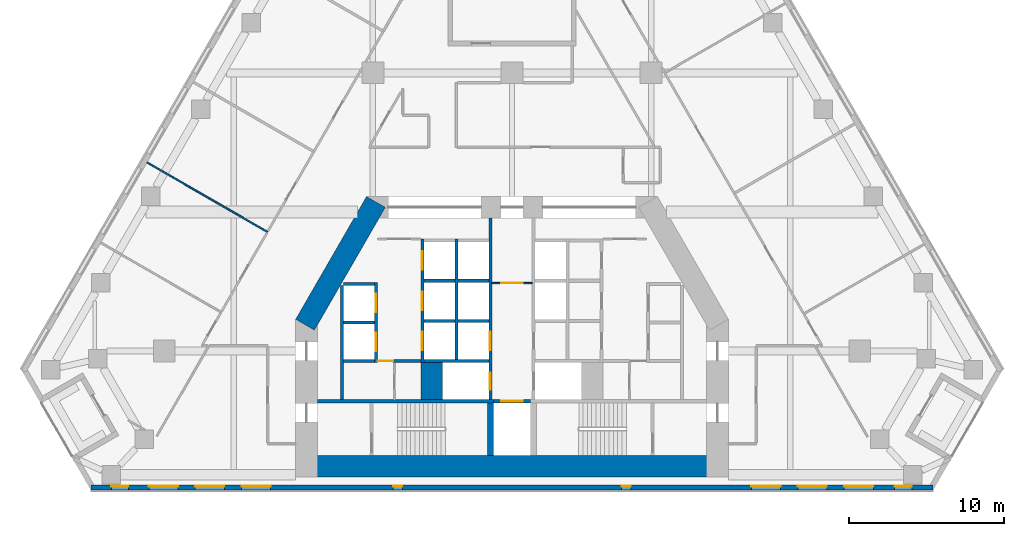
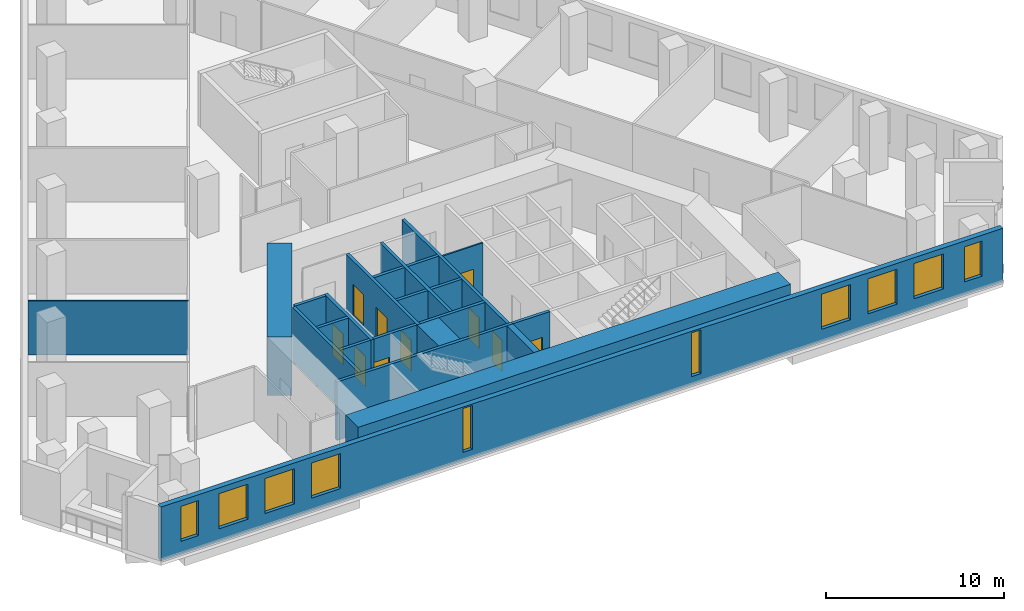
# One storey, part 4 of 11: 23 walls, 10 doors, 10 windows, 20 openings.
"""IFC4 building model written with IfcOpenShell, lengths in metres."""

import ifcopenshell
import ifcopenshell.guid

model = None  # the IFC model being written
_history = None  # IfcOwnerHistory: only IFC2X3 demands one
_inside = {}  # id of a spatial element -> (the spatial element, [elements in it])
_under = {}  # id of a project, library or spatial element -> (it, [spatial elements below it])
_declared = {}  # id of a project -> (the project, [libraries it declares])
_typed = {}  # id of a type object -> (the type object, [elements of that type])
_made_of = {}  # id of a material, layer set ... -> (it, [elements and type objects made of it])


def new_model(schema):
    """Start an empty IFC model of exactly this schema.

    Asked for "IFC4X3", IfcOpenShell would pick the latest addendum, in which some entities
    have other attributes; the version numbers below select the first issue.
    IFC2X3 requires an IfcOwnerHistory on every rooted entity: one is made here for all.
    """
    global model, _history
    if schema == "IFC4X3":
        model = ifcopenshell.file(schema_version=(4, 3, 0, 0))
    else:
        model = ifcopenshell.file(schema=schema)
    _inside.clear()
    _under.clear()
    _declared.clear()
    _typed.clear()
    _made_of.clear()
    _history = None
    if model.schema == "IFC2X3":
        org = make("IfcOrganization", Name="unknown")
        user = make(
            "IfcPersonAndOrganization",
            ThePerson=make("IfcPerson", FamilyName="unknown"),
            TheOrganization=org,
        )
        app = make(
            "IfcApplication",
            ApplicationDeveloper=org,
            Version="unknown",
            ApplicationFullName="unknown",
            ApplicationIdentifier="unknown",
        )
        _history = make(
            "IfcOwnerHistory",
            OwningUser=user,
            OwningApplication=app,
            ChangeAction="ADDED",
            CreationDate=0,
        )
    return model


def make(cls, **values):
    """One entity of the class cls with the attributes given. An attribute that is None is left unset."""
    return model.create_entity(
        cls, **{name: value for name, value in values.items() if value is not None}
    )


def rooted(cls, **values):
    """An entity with a GlobalId (a new one), such as an element, a storey or a relation."""
    return make(cls, GlobalId=ifcopenshell.guid.new(), OwnerHistory=_history, **values)


def si_unit(unit_type, name, prefix=None):
    """IfcSIUnit, for example si_unit("LENGTHUNIT", "METRE", prefix="MILLI")."""
    return make("IfcSIUnit", UnitType=unit_type, Prefix=prefix, Name=name)


def assignment(units):
    """IfcUnitAssignment: the units of a project."""
    return None if units is None else make("IfcUnitAssignment", Units=units)


def point(xyz):
    """IfcCartesianPoint."""
    return None if xyz is None else make("IfcCartesianPoint", Coordinates=xyz)


def direction(xyz):
    """IfcDirection."""
    return None if xyz is None else make("IfcDirection", DirectionRatios=xyz)


def frame(location, z_axis=None, x_axis=None):
    """IfcAxis2Placement3D, a coordinate frame: its origin and axes. An axis left out is left unset."""
    return make(
        "IfcAxis2Placement3D",
        Location=point(location),
        Axis=direction(z_axis),
        RefDirection=direction(x_axis),
    )


def frame_2d(location, x_axis=None):
    """IfcAxis2Placement2D, a coordinate frame in the plane: its origin and x axis."""
    return make(
        "IfcAxis2Placement2D", Location=point(location), RefDirection=direction(x_axis)
    )


def origin():
    """The frame at (0, 0, 0) with its axes left unset."""
    return frame((0.0, 0.0, 0.0))


def place(relative_to, where):
    """IfcLocalPlacement: puts the frame where relative to a parent placement (None: the world)."""
    return make(
        "IfcLocalPlacement", PlacementRelTo=relative_to, RelativePlacement=where
    )


def context(
    kind, dimensions, precision=None, world=None, true_north=None, identifier=None
):
    """IfcGeometricRepresentationContext, for example the 3D "Model" context."""
    return make(
        "IfcGeometricRepresentationContext",
        ContextIdentifier=identifier,
        ContextType=kind,
        CoordinateSpaceDimension=dimensions,
        Precision=precision,
        WorldCoordinateSystem=world,
        TrueNorth=true_north,
    )


def subcontext(parent, identifier, kind, view, scale=None):
    """IfcGeometricRepresentationSubContext, for example "Body" below "Model"."""
    return make(
        "IfcGeometricRepresentationSubContext",
        ContextIdentifier=identifier,
        ContextType=kind,
        ParentContext=parent,
        TargetScale=scale,
        TargetView=view,
    )


def project(units=None, contexts=None):
    """IfcProject with its units and contexts."""
    return rooted(
        "IfcProject",
        Name="project",
        RepresentationContexts=contexts,
        UnitsInContext=assignment(units),
    )


def spatial(cls, under=None, at=None, **own):
    """A site, building, storey or space (cls), placed at a placement, below another one or the project."""
    s = rooted(cls, ObjectPlacement=at, **own)
    if under is not None:
        _under.setdefault(under.id(), (under, []))[1].append(s)
    return s


def profile(cls, at=None, kind="AREA", **sizes):
    """A parametric profile (cls). Its sizes go by their IFC names, for example OverallWidth=200.0."""
    return make(cls, ProfileType=kind, Position=at, **sizes)


def rectangle(**sizes):
    """IfcRectangleProfileDef."""
    return profile("IfcRectangleProfileDef", **sizes)


def extrude(swept, where, along, depth):
    """IfcExtrudedAreaSolid: the profile swept, set in the frame where, extruded along a direction by depth."""
    return make(
        "IfcExtrudedAreaSolid",
        SweptArea=swept,
        Position=where,
        ExtrudedDirection=direction(along),
        Depth=depth,
    )


def shape(context_of_items, identifier, shape_type, items):
    """IfcShapeRepresentation: the items that make up one representation, for example the "Body"."""
    return make(
        "IfcShapeRepresentation",
        ContextOfItems=context_of_items,
        RepresentationIdentifier=identifier,
        RepresentationType=shape_type,
        Items=items,
    )


def material(Name=None, Category=None):
    """IfcMaterial."""
    return make("IfcMaterial", Name=Name, Category=Category)


def layer(
    of_material, thickness, ventilated=None, Name=None, Category=None, Priority=None
):
    """IfcMaterialLayer: one layer of a wall or slab, of a material (None: an air gap)."""
    return make(
        "IfcMaterialLayer",
        Material=of_material,
        LayerThickness=thickness,
        IsVentilated=ventilated,
        Name=Name,
        Category=Category,
        Priority=Priority,
    )


def layer_set(layers, Name=None):
    """IfcMaterialLayerSet."""
    return make("IfcMaterialLayerSet", MaterialLayers=layers, LayerSetName=Name)


def made_of(thing, what):
    """Note that an element or type object is made of a material, layer set ...; save() writes the relation."""
    if what is not None:
        _made_of.setdefault(what.id(), (what, []))[1].append(thing)
    return thing


def type_object(cls, material=None, **own):
    """A type object (cls), such as IfcWallType, which elements share."""
    return made_of(rooted(cls, **own), material)


def element(
    cls,
    number,
    at=None,
    inside=None,
    cuts=None,
    type_object=None,
    material=None,
    context=None,
    identifier="Body",
    shape_type=None,
    held_by="IfcProductDefinitionShape",
    body=None,
    shapes=None,
    **own,
):
    """One element of the class cls, such as IfcWall. Its Tag is "e" and its number.

    at: its placement. inside: the storey or other place that contains it. cuts: it is an
    opening in that element (IfcRelVoidsElement). A single representation is given by context,
    identifier, shape_type and body (its items); several are given by shapes. held_by: the class
    of the entity that holds the representations. save() writes the other relations.
    """
    e = rooted(cls, Tag="e%d" % number, ObjectPlacement=at, **own)
    if body is not None:
        shapes = [shape(context, identifier, shape_type, body)]
    if shapes is not None:
        e.Representation = make(held_by, Representations=shapes)
    if inside is not None:
        _inside.setdefault(inside.id(), (inside, []))[1].append(e)
    if cuts is not None:
        rooted(
            "IfcRelVoidsElement", RelatingBuildingElement=cuts, RelatedOpeningElement=e
        )
    if type_object is not None:
        _typed.setdefault(type_object.id(), (type_object, []))[1].append(e)
    return made_of(e, material)


def fill(opening, filler):
    """IfcRelFillsElement: the door or window that sits in an opening."""
    return rooted(
        "IfcRelFillsElement",
        RelatingOpeningElement=opening,
        RelatedBuildingElement=filler,
    )


def aggregate(whole, parts):
    """IfcRelAggregates: a whole, such as a stair, and the parts it consists of."""
    return rooted("IfcRelAggregates", RelatingObject=whole, RelatedObjects=parts)


def save(model, path):
    """Write the relations noted so far, then the file.

    IfcRelAggregates (storeys below a building ...), IfcRelContainedInSpatialStructure (elements
    in a storey), IfcRelDefinesByType, IfcRelAssociatesMaterial and IfcRelDeclares: one each for
    every whole, place, type object, material and project.
    """
    for whole, parts in _under.values():
        aggregate(whole, parts)
    for where, things in _inside.values():
        rooted(
            "IfcRelContainedInSpatialStructure",
            RelatedElements=things,
            RelatingStructure=where,
        )
    for kind, things in _typed.values():
        rooted("IfcRelDefinesByType", RelatedObjects=things, RelatingType=kind)
    for what, things in _made_of.values():
        rooted("IfcRelAssociatesMaterial", RelatedObjects=things, RelatingMaterial=what)
    for by, libraries in _declared.values():
        rooted("IfcRelDeclares", RelatingContext=by, RelatedDefinitions=libraries)
    model.write(path)


model = new_model("IFC4")

# Units and contexts
model_context = context("Model", 3, precision=1e-05, world=origin(), true_north=direction((0.0, 1.0)))
body_context = subcontext(model_context, "Body", "Model", "MODEL_VIEW")
ifc_project = project(units=[si_unit("LENGTHUNIT", "METRE"), si_unit("AREAUNIT", "SQUARE_METRE"), si_unit("VOLUMEUNIT", "CUBIC_METRE"), si_unit("PLANEANGLEUNIT", "RADIAN"), si_unit("MASSUNIT", "GRAM", prefix="KILO")], contexts=[model_context])

# Site, building, storey
site_placement = place(None, origin())
site = spatial("IfcSite", under=ifc_project, at=site_placement, CompositionType="ELEMENT")
building_placement = place(site_placement, origin())
building = spatial("IfcBuilding", under=site, at=building_placement, Name="Fogline Exchange Tower", CompositionType="ELEMENT")
storey_placement = place(building_placement, frame((0.0, 0.0, 56.89990234375)))
storey = spatial("IfcBuildingStorey", under=building, at=storey_placement, Name="L11", CompositionType="ELEMENT", Elevation=56.89990234375)

# Wall, opening, door
ifc_material_1 = material(Name="Blockwork partition", Category="masonry")
ifc_layer_1 = layer(ifc_material_1, 0.10009765625)
ifc_layer_set_1 = layer_set([ifc_layer_1], Name="CW10")
wall_type_1 = type_object("IfcWallType", Name="CW10", PredefinedType="PARTITIONING", material=ifc_layer_set_1)
wall_1_placement = place(storey_placement, frame((-1.300048828125, 13.39990234375, 0.0), z_axis=(0.0, 0.0, 1.0), x_axis=(1.0, 0.0, 0.0)))
wall_1 = element("IfcWall", 1, at=wall_1_placement, inside=storey, type_object=wall_type_1, Name="Lift lobby partition", PredefinedType="PARTITIONING", context=body_context, shape_type="SweptSolid", body=[
    extrude(rectangle(XDim=2.60009765625, YDim=0.10009765625, at=frame_2d((1.300048828125, 0.0))), origin(), (0.0, 0.0, 1.0), 3.7001953125),
])
opening_1_placement = place(wall_1_placement, frame((0.60009765625, 0.0, 0.0)))
opening_1 = element("IfcOpeningElement", 2, at=opening_1_placement, cuts=wall_1, Name="Opening T03-C019", PredefinedType="OPENING", context=body_context, shape_type="SweptSolid", body=[
    extrude(rectangle(XDim=1.39990234375, YDim=2.10009765625, at=frame_2d((0.699951171875, 1.050048828125))), frame((0.0, 0.06005859375, 0.0), z_axis=(0.0, -1.0, 0.0), x_axis=(1.0, 0.0, 0.0)), (0.0, 0.0, 1.0), 0.1201171875),
])
ifc_material_2 = material(Name="Steel and timber fire door", Category="steel")
door_type_1 = type_object("IfcDoorType", Name="D-LB1", OperationType="DOUBLE_DOOR_SINGLE_SWING", PredefinedType="DOOR", material=ifc_material_2)
door_1_placement = place(opening_1_placement, origin())
door_1 = element("IfcDoor", 3, at=door_1_placement, inside=storey, type_object=door_type_1, Name="Door to firefighting lift lobby", OperationType="DOUBLE_DOOR_SINGLE_SWING", OverallHeight=2.10009765625, OverallWidth=1.39990234375, PredefinedType="DOOR", context=body_context, shape_type="SweptSolid", body=[
    extrude(rectangle(XDim=1.39990234375, YDim=2.10009765625, at=frame_2d((0.699951171875, 1.050048828125))), frame((0.0, 0.02490234375, 0.0), z_axis=(0.0, -1.0, 0.0), x_axis=(1.0, 0.0, 0.0)), (0.0, 0.0, 1.0), 0.050048828125),
])
fill(opening_1, door_1)

# Walls
ifc_material_3 = material(Name="Concrete C60", Category="concrete")
ifc_layer_2 = layer(ifc_material_3, 1.39990234375)
ifc_layer_set_2 = layer_set([ifc_layer_2], Name="CW140")
wall_type_2 = type_object("IfcWallType", Name="CW140", PredefinedType="SOLIDWALL", material=ifc_layer_set_2)
wall_2_placement = place(storey_placement, frame((-5.199951171875, 5.85009765625, -0.2998046875), z_axis=(0.0, 0.0, 1.0), x_axis=(0.0, 1.0, 0.0)))
element("IfcWall", 4, at=wall_2_placement, inside=storey, type_object=wall_type_2, Name="Lift shaft block wall", PredefinedType="SOLIDWALL", context=body_context, shape_type="SweptSolid", body=[
    extrude(rectangle(XDim=2.39990234375, YDim=1.39990234375, at=frame_2d((1.199951171875, 0.0))), origin(), (0.0, 0.0, 1.0), 4.0),
])
ifc_material_4 = material(Name="Concrete C40", Category="concrete")
ifc_layer_3 = layer(ifc_material_4, 0.199951171875)
ifc_layer_set_3 = layer_set([ifc_layer_3], Name="CW20")
wall_type_3 = type_object("IfcWallType", Name="CW20", PredefinedType="SOLIDWALL", material=ifc_layer_set_3)
wall_3_placement = place(storey_placement, frame((-11.0, 5.85009765625, 0.0), z_axis=(0.0, 0.0, 1.0), x_axis=(0.0, 1.0, 0.0)))
element("IfcWall", 5, at=wall_3_placement, inside=storey, type_object=wall_type_3, Name="Service room wall", PredefinedType="SOLIDWALL", context=body_context, shape_type="SweptSolid", body=[
    extrude(rectangle(XDim=7.39990234375, YDim=0.199951171875, at=frame_2d((3.699951171875, 0.0))), origin(), (0.0, 0.0, 1.0), 3.7001953125),
])

# Wall, opening, door
wall_4_placement = place(storey_placement, frame((-8.699951171875, 8.35009765625, 0.0), z_axis=(0.0, 0.0, 1.0), x_axis=(1.0, 0.0, 0.0)))
wall_4 = element("IfcWall", 6, at=wall_4_placement, inside=storey, type_object=wall_type_3, Name="WC wall", PredefinedType="SOLIDWALL", context=body_context, shape_type="SweptSolid", body=[
    extrude(rectangle(XDim=2.800048828125, YDim=0.199951171875, at=frame_2d((1.39990234375, 0.0))), origin(), (0.0, 0.0, 1.0), 3.7001953125),
])
opening_2_placement = place(wall_4_placement, origin())
opening_2 = element("IfcOpeningElement", 7, at=opening_2_placement, cuts=wall_4, Name="Opening T03-C008", PredefinedType="OPENING", context=body_context, shape_type="SweptSolid", body=[
    extrude(rectangle(XDim=1.0, YDim=2.10009765625, at=frame_2d((0.5, 1.050048828125))), frame((0.0, 0.10986328125, 0.0), z_axis=(0.0, -1.0, 0.0), x_axis=(1.0, 0.0, 0.0)), (0.0, 0.0, 1.0), 0.219970703125),
])
door_type_2 = type_object("IfcDoorType", Name="D-WC1", OperationType="SINGLE_SWING_LEFT", PredefinedType="DOOR", material=ifc_material_2)
door_2_placement = place(opening_2_placement, frame((1.0, 0.0, 0.0), z_axis=(0.0, 0.0, 1.0), x_axis=(-1.0, 0.0, 0.0)))
door_2 = element("IfcDoor", 8, at=door_2_placement, inside=storey, type_object=door_type_2, Name="Door to Men's WC", OperationType="SINGLE_SWING_LEFT", OverallHeight=2.10009765625, OverallWidth=1.0, PredefinedType="DOOR", context=body_context, shape_type="SweptSolid", body=[
    extrude(rectangle(XDim=1.0, YDim=2.10009765625, at=frame_2d((0.5, 1.050048828125))), frame((0.0, 0.02490234375, 0.0), z_axis=(0.0, -1.0, 0.0), x_axis=(1.0, 0.0, 0.0)), (0.0, 0.0, 1.0), 0.050048828125),
])
fill(opening_2, door_2)

# Wall
ifc_layer_4 = layer(ifc_material_4, 0.199951171875)
ifc_layer_set_4 = layer_set([ifc_layer_4], Name="CW20R")
wall_type_4 = type_object("IfcWallType", Name="CW20R", PredefinedType="SOLIDWALL", material=ifc_layer_set_4)
wall_5_placement = place(storey_placement, frame((-12.60009765625, 5.75, -0.2998046875), z_axis=(0.0, 0.0, 1.0), x_axis=(1.0, 0.0, 0.0)))
element("IfcWall", 9, at=wall_5_placement, inside=storey, type_object=wall_type_4, Name="Stair enclosure wall", PredefinedType="SOLIDWALL", context=body_context, shape_type="SweptSolid", body=[
    extrude(rectangle(XDim=11.400146484375, YDim=0.199951171875, at=frame_2d((5.7001953125, 0.0))), origin(), (0.0, 0.0, 1.0), 4.0),
])

# Wall, opening, door
wall_6_placement = place(storey_placement, frame((-1.199951171875, 5.75, -0.2998046875), z_axis=(0.0, 0.0, 1.0), x_axis=(1.0, 0.0, 0.0)))
wall_6 = element("IfcWall", 10, at=wall_6_placement, inside=storey, type_object=wall_type_4, Name="Stair enclosure wall", PredefinedType="SOLIDWALL", context=body_context, shape_type="SweptSolid", body=[
    extrude(rectangle(XDim=2.39990234375, YDim=0.199951171875, at=frame_2d((1.199951171875, 0.0))), origin(), (0.0, 0.0, 1.0), 4.0),
])
opening_3_placement = place(wall_6_placement, frame((0.5, 0.0, 0.300048828125)))
opening_3 = element("IfcOpeningElement", 11, at=opening_3_placement, cuts=wall_6, Name="Opening T03-LD09", PredefinedType="OPENING", context=body_context, shape_type="SweptSolid", body=[
    extrude(rectangle(XDim=1.39990234375, YDim=2.10009765625, at=frame_2d((0.699951171875, 1.050048828125))), frame((0.0, 0.10986328125, 0.0), z_axis=(0.0, -1.0, 0.0), x_axis=(1.0, 0.0, 0.0)), (0.0, 0.0, 1.0), 0.219970703125),
])
door_type_3 = type_object("IfcDoorType", Name="LD3", OperationType="SLIDING_TO_LEFT", PredefinedType="DOOR", material=ifc_material_2)
door_3_placement = place(opening_3_placement, origin())
door_3 = element("IfcDoor", 12, at=door_3_placement, inside=storey, type_object=door_type_3, Name="Landing door GL1", OperationType="SLIDING_TO_LEFT", OverallHeight=2.10009765625, OverallWidth=1.39990234375, PredefinedType="DOOR", context=body_context, shape_type="SweptSolid", body=[
    extrude(rectangle(XDim=1.39990234375, YDim=2.10009765625, at=frame_2d((0.699951171875, 1.050048828125))), frame((0.0, 0.02490234375, 0.0), z_axis=(0.0, -1.0, 0.0), x_axis=(1.0, 0.0, 0.0)), (0.0, 0.0, 1.0), 0.050048828125),
])
fill(opening_3, door_3)

# Wall, openings, doors
ifc_layer_5 = layer(ifc_material_4, 0.199951171875)
ifc_layer_set_5 = layer_set([ifc_layer_5], Name="CW20S")
wall_type_5 = type_object("IfcWallType", Name="CW20S", PredefinedType="SOLIDWALL", material=ifc_layer_set_5)
wall_7_placement = place(storey_placement, frame((-8.800048828125, 8.25, -0.2998046875), z_axis=(0.0, 0.0, 1.0), x_axis=(0.0, 1.0, 0.0)))
wall_7 = element("IfcWall", 13, at=wall_7_placement, inside=storey, type_object=wall_type_5, Name="Lift shaft wall", PredefinedType="SOLIDWALL", context=body_context, shape_type="SweptSolid", body=[
    extrude(rectangle(XDim=5.199951171875, YDim=0.199951171875, at=frame_2d((2.60009765625, 0.0))), origin(), (0.0, 0.0, 1.0), 4.0),
])
opening_4_placement = place(wall_7_placement, frame((0.75, 0.0, 0.300048828125)))
opening_4 = element("IfcOpeningElement", 14, at=opening_4_placement, cuts=wall_7, Name="Opening T03-LD01", PredefinedType="OPENING", context=body_context, shape_type="SweptSolid", body=[
    extrude(rectangle(XDim=1.199951171875, YDim=2.10009765625, at=frame_2d((0.60009765625, 1.050048828125))), frame((0.0, 0.10986328125, 0.0), z_axis=(0.0, -1.0, 0.0), x_axis=(1.0, 0.0, 0.0)), (0.0, 0.0, 1.0), 0.219970703125),
])
opening_5_placement = place(wall_7_placement, frame((3.25, 0.0, 0.300048828125)))
opening_5 = element("IfcOpeningElement", 15, at=opening_5_placement, cuts=wall_7, Name="Opening T03-LD02", PredefinedType="OPENING", context=body_context, shape_type="SweptSolid", body=[
    extrude(rectangle(XDim=1.199951171875, YDim=2.10009765625, at=frame_2d((0.60009765625, 1.050048828125))), frame((0.0, 0.10986328125, 0.0), z_axis=(0.0, -1.0, 0.0), x_axis=(1.0, 0.0, 0.0)), (0.0, 0.0, 1.0), 0.219970703125),
])
door_type_4 = type_object("IfcDoorType", Name="LD1", OperationType="SLIDING_TO_LEFT", PredefinedType="DOOR", material=ifc_material_2)
door_4_placement = place(opening_4_placement, origin())
door_4 = element("IfcDoor", 16, at=door_4_placement, inside=storey, type_object=door_type_4, Name="Landing door LR1", OperationType="SLIDING_TO_LEFT", OverallHeight=2.10009765625, OverallWidth=1.199951171875, PredefinedType="DOOR", context=body_context, shape_type="SweptSolid", body=[
    extrude(rectangle(XDim=1.199951171875, YDim=2.10009765625, at=frame_2d((0.60009765625, 1.050048828125))), frame((0.0, 0.02490234375, 0.0), z_axis=(0.0, -1.0, 0.0), x_axis=(1.0, 0.0, 0.0)), (0.0, 0.0, 1.0), 0.050048828125),
])
fill(opening_4, door_4)
door_5_placement = place(opening_5_placement, origin())
door_5 = element("IfcDoor", 17, at=door_5_placement, inside=storey, type_object=door_type_4, Name="Landing door LR2", OperationType="SLIDING_TO_LEFT", OverallHeight=2.10009765625, OverallWidth=1.199951171875, PredefinedType="DOOR", context=body_context, shape_type="SweptSolid", body=[
    extrude(rectangle(XDim=1.199951171875, YDim=2.10009765625, at=frame_2d((0.60009765625, 1.050048828125))), frame((0.0, 0.02490234375, 0.0), z_axis=(0.0, -1.0, 0.0), x_axis=(1.0, 0.0, 0.0)), (0.0, 0.0, 1.0), 0.050048828125),
])
fill(opening_5, door_5)

wall_8_placement = place(storey_placement, frame((-5.800048828125, 8.25, -0.2998046875), z_axis=(0.0, 0.0, 1.0), x_axis=(0.0, 1.0, 0.0)))
wall_8 = element("IfcWall", 18, at=wall_8_placement, inside=storey, type_object=wall_type_5, Name="Lift shaft wall", PredefinedType="SOLIDWALL", context=body_context, shape_type="SweptSolid", body=[
    extrude(rectangle(XDim=8.0, YDim=0.199951171875, at=frame_2d((4.0, 0.0))), origin(), (0.0, 0.0, 1.0), 4.0),
])
opening_6_placement = place(wall_8_placement, frame((0.800048828125, 0.0, 0.300048828125)))
opening_6 = element("IfcOpeningElement", 19, at=opening_6_placement, cuts=wall_8, Name="Opening T03-LD03", PredefinedType="OPENING", context=body_context, shape_type="SweptSolid", body=[
    extrude(rectangle(XDim=1.199951171875, YDim=2.10009765625, at=frame_2d((0.60009765625, 1.050048828125))), frame((0.0, 0.10986328125, 0.0), z_axis=(0.0, -1.0, 0.0), x_axis=(1.0, 0.0, 0.0)), (0.0, 0.0, 1.0), 0.219970703125),
])
opening_7_placement = place(wall_8_placement, frame((3.39990234375, 0.0, 0.300048828125)))
opening_7 = element("IfcOpeningElement", 20, at=opening_7_placement, cuts=wall_8, Name="Opening T03-LD04", PredefinedType="OPENING", context=body_context, shape_type="SweptSolid", body=[
    extrude(rectangle(XDim=1.199951171875, YDim=2.10009765625, at=frame_2d((0.60009765625, 1.050048828125))), frame((0.0, 0.10986328125, 0.0), z_axis=(0.0, -1.0, 0.0), x_axis=(1.0, 0.0, 0.0)), (0.0, 0.0, 1.0), 0.219970703125),
])
opening_8_placement = place(wall_8_placement, frame((6.0, 0.0, 0.300048828125)))
opening_8 = element("IfcOpeningElement", 21, at=opening_8_placement, cuts=wall_8, Name="Opening T03-LD05", PredefinedType="OPENING", context=body_context, shape_type="SweptSolid", body=[
    extrude(rectangle(XDim=1.199951171875, YDim=2.10009765625, at=frame_2d((0.60009765625, 1.050048828125))), frame((0.0, 0.10986328125, 0.0), z_axis=(0.0, -1.0, 0.0), x_axis=(1.0, 0.0, 0.0)), (0.0, 0.0, 1.0), 0.219970703125),
])
door_6_placement = place(opening_6_placement, origin())
door_6 = element("IfcDoor", 22, at=door_6_placement, inside=storey, type_object=door_type_4, Name="Landing door LR3", OperationType="SLIDING_TO_LEFT", OverallHeight=2.10009765625, OverallWidth=1.199951171875, PredefinedType="DOOR", context=body_context, shape_type="SweptSolid", body=[
    extrude(rectangle(XDim=1.199951171875, YDim=2.10009765625, at=frame_2d((0.60009765625, 1.050048828125))), frame((0.0, 0.02490234375, 0.0), z_axis=(0.0, -1.0, 0.0), x_axis=(1.0, 0.0, 0.0)), (0.0, 0.0, 1.0), 0.050048828125),
])
fill(opening_6, door_6)
door_7_placement = place(opening_7_placement, origin())
door_7 = element("IfcDoor", 23, at=door_7_placement, inside=storey, type_object=door_type_4, Name="Landing door LR4", OperationType="SLIDING_TO_LEFT", OverallHeight=2.10009765625, OverallWidth=1.199951171875, PredefinedType="DOOR", context=body_context, shape_type="SweptSolid", body=[
    extrude(rectangle(XDim=1.199951171875, YDim=2.10009765625, at=frame_2d((0.60009765625, 1.050048828125))), frame((0.0, 0.02490234375, 0.0), z_axis=(0.0, -1.0, 0.0), x_axis=(1.0, 0.0, 0.0)), (0.0, 0.0, 1.0), 0.050048828125),
])
fill(opening_7, door_7)
door_8_placement = place(opening_8_placement, origin())
door_8 = element("IfcDoor", 24, at=door_8_placement, inside=storey, type_object=door_type_4, Name="Landing door LR5", OperationType="SLIDING_TO_LEFT", OverallHeight=2.10009765625, OverallWidth=1.199951171875, PredefinedType="DOOR", context=body_context, shape_type="SweptSolid", body=[
    extrude(rectangle(XDim=1.199951171875, YDim=2.10009765625, at=frame_2d((0.60009765625, 1.050048828125))), frame((0.0, 0.02490234375, 0.0), z_axis=(0.0, -1.0, 0.0), x_axis=(1.0, 0.0, 0.0)), (0.0, 0.0, 1.0), 0.050048828125),
])
fill(opening_8, door_8)

# Wall
wall_9_placement = place(storey_placement, frame((-3.60009765625, 8.449951171875, -0.2998046875), z_axis=(0.0, 0.0, 1.0), x_axis=(0.0, 1.0, 0.0)))
element("IfcWall", 25, at=wall_9_placement, inside=storey, type_object=wall_type_5, Name="Lift shaft wall", PredefinedType="SOLIDWALL", context=body_context, shape_type="SweptSolid", body=[
    extrude(rectangle(XDim=7.800048828125, YDim=0.199951171875, at=frame_2d((3.89990234375, 0.0))), origin(), (0.0, 0.0, 1.0), 4.0),
])

# Wall, openings, doors
wall_10_placement = place(storey_placement, frame((-1.39990234375, 5.85009765625, -0.2998046875), z_axis=(0.0, 0.0, 1.0), x_axis=(0.0, 1.0, 0.0)))
wall_10 = element("IfcWall", 26, at=wall_10_placement, inside=storey, type_object=wall_type_5, Name="Lift lobby wall", PredefinedType="SOLIDWALL", context=body_context, shape_type="SweptSolid", body=[
    extrude(rectangle(XDim=11.75, YDim=0.199951171875, at=frame_2d((5.875, 0.0))), origin(), (0.0, 0.0, 1.0), 4.0),
])
opening_9_placement = place(wall_10_placement, frame((3.199951171875, 0.0, 0.300048828125)))
opening_9 = element("IfcOpeningElement", 27, at=opening_9_placement, cuts=wall_10, Name="Opening T03-LD06", PredefinedType="OPENING", context=body_context, shape_type="SweptSolid", body=[
    extrude(rectangle(XDim=1.199951171875, YDim=2.10009765625, at=frame_2d((0.60009765625, 1.050048828125))), frame((0.0, 0.10986328125, 0.0), z_axis=(0.0, -1.0, 0.0), x_axis=(1.0, 0.0, 0.0)), (0.0, 0.0, 1.0), 0.219970703125),
])
opening_10_placement = place(wall_10_placement, frame((0.64990234375, 0.0, 0.300048828125)))
opening_10 = element("IfcOpeningElement", 28, at=opening_10_placement, cuts=wall_10, Name="Opening T03-LD07", PredefinedType="OPENING", context=body_context, shape_type="SweptSolid", body=[
    extrude(rectangle(XDim=1.10009765625, YDim=2.10009765625, at=frame_2d((0.550048828125, 1.050048828125))), frame((0.0, 0.10986328125, 0.0), z_axis=(0.0, -1.0, 0.0), x_axis=(1.0, 0.0, 0.0)), (0.0, 0.0, 1.0), 0.219970703125),
])
door_9_placement = place(opening_9_placement, origin())
door_9 = element("IfcDoor", 29, at=door_9_placement, inside=storey, type_object=door_type_4, Name="Landing door LR6", OperationType="SLIDING_TO_LEFT", OverallHeight=2.10009765625, OverallWidth=1.199951171875, PredefinedType="DOOR", context=body_context, shape_type="SweptSolid", body=[
    extrude(rectangle(XDim=1.199951171875, YDim=2.10009765625, at=frame_2d((0.60009765625, 1.050048828125))), frame((0.0, 0.02490234375, 0.0), z_axis=(0.0, -1.0, 0.0), x_axis=(1.0, 0.0, 0.0)), (0.0, 0.0, 1.0), 0.050048828125),
])
fill(opening_9, door_9)
door_type_5 = type_object("IfcDoorType", Name="LD2", OperationType="SLIDING_TO_RIGHT", PredefinedType="DOOR", material=ifc_material_2)
door_10_placement = place(opening_10_placement, origin())
door_10 = element("IfcDoor", 30, at=door_10_placement, inside=storey, type_object=door_type_5, Name="Landing door FF1", OperationType="SLIDING_TO_RIGHT", OverallHeight=2.10009765625, OverallWidth=1.10009765625, PredefinedType="DOOR", context=body_context, shape_type="SweptSolid", body=[
    extrude(rectangle(XDim=1.10009765625, YDim=2.10009765625, at=frame_2d((0.550048828125, 1.050048828125))), frame((0.0, 0.02490234375, 0.0), z_axis=(0.0, -1.0, 0.0), x_axis=(1.0, 0.0, 0.0)), (0.0, 0.0, 1.0), 0.050048828125),
])
fill(opening_10, door_10)

# Walls
wall_11_placement = place(storey_placement, frame((-10.89990234375, 8.35009765625, -0.2998046875), z_axis=(0.0, 0.0, 1.0), x_axis=(1.0, 0.0, 0.0)))
element("IfcWall", 31, at=wall_11_placement, inside=storey, type_object=wall_type_5, Name="Lift shaft wall", PredefinedType="SOLIDWALL", context=body_context, shape_type="SweptSolid", body=[
    extrude(rectangle(XDim=2.0, YDim=0.199951171875, at=frame_2d((1.0, 0.0))), origin(), (0.0, 0.0, 1.0), 4.0),
])
wall_12_placement = place(storey_placement, frame((-5.699951171875, 8.35009765625, -0.2998046875), z_axis=(0.0, 0.0, 1.0), x_axis=(1.0, 0.0, 0.0)))
element("IfcWall", 32, at=wall_12_placement, inside=storey, type_object=wall_type_5, Name="Lift shaft wall", PredefinedType="SOLIDWALL", context=body_context, shape_type="SweptSolid", body=[
    extrude(rectangle(XDim=4.199951171875, YDim=0.199951171875, at=frame_2d((2.10009765625, 0.0))), origin(), (0.0, 0.0, 1.0), 4.0),
])
for number, where, z_axis, x_axis, name in (
    (33, (-10.89990234375, 10.85009765625, -0.2998046875), (0.0, 0.0, 1.0), (1.0, 0.0, 0.0), "Lift shaft wall"),
    (34, (-10.89990234375, 13.35009765625, -0.2998046875), (0.0, 0.0, 1.0), (1.0, 0.0, 0.0), "Lift shaft wall"),
    (35, (-5.699951171875, 10.949951171875, -0.2998046875), (0.0, 0.0, 1.0), (1.0, 0.0, 0.0), "Lift shaft wall"),
    (36, (-5.699951171875, 13.550048828125, -0.2998046875), (0.0, 0.0, 1.0), (1.0, 0.0, 0.0), "Lift shaft wall"),
    (37, (-3.5, 10.949951171875, -0.2998046875), (0.0, 0.0, 1.0), (1.0, 0.0, 0.0), "Lift shaft wall"),
    (38, (-3.5, 13.550048828125, -0.2998046875), (0.0, 0.0, 1.0), (1.0, 0.0, 0.0), "Lift shaft wall"),
):
    element("IfcWall", number, at=place(storey_placement, frame(where, z_axis=z_axis, x_axis=x_axis)), inside=storey, type_object=wall_type_5, Name=name, PredefinedType="SOLIDWALL", context=body_context, shape_type="SweptSolid", body=[
        extrude(rectangle(XDim=2.0, YDim=0.199951171875, at=frame_2d((1.0, 0.0))), origin(), (0.0, 0.0, 1.0), 4.0),
    ])
ifc_layer_6 = layer(ifc_material_4, 0.39990234375)
ifc_layer_set_6 = layer_set([ifc_layer_6], Name="CW40R")
wall_type_6 = type_object("IfcWallType", Name="CW40R", PredefinedType="SOLIDWALL", material=ifc_layer_set_6)
wall_13_placement = place(storey_placement, frame((-1.39990234375, 2.25, -0.2998046875), z_axis=(0.0, 0.0, 1.0), x_axis=(0.0, 1.0, 0.0)))
element("IfcWall", 39, at=wall_13_placement, inside=storey, type_object=wall_type_6, Name="Stair and lift shaft wall", PredefinedType="SOLIDWALL", context=body_context, shape_type="SweptSolid", body=[
    extrude(rectangle(XDim=3.39990234375, YDim=0.39990234375, at=frame_2d((1.699951171875, 0.0))), origin(), (0.0, 0.0, 1.0), 4.0),
])

# Wall, openings, windows
ifc_material_5 = material(Name="Brick masonry", Category="masonry")
ifc_layer_7 = layer(ifc_material_5, 0.340087890625)
ifc_layer_set_7 = layer_set([ifc_layer_7], Name="FW1")
wall_type_7 = type_object("IfcWallType", Name="FW1", PredefinedType="SOLIDWALL", material=ifc_layer_set_7)
wall_14_placement = place(storey_placement, frame((-27.255126953125, 0.169921875, 0.0), z_axis=(0.0, 0.0, 1.0), x_axis=(1.0, 0.0, 0.0)))
wall_14 = element("IfcWall", 40, at=wall_14_placement, inside=storey, type_object=wall_type_7, Name="Brick wall L11 S", PredefinedType="SOLIDWALL", context=body_context, shape_type="SweptSolid", body=[
    extrude(rectangle(XDim=54.51025390625, YDim=0.340087890625, at=frame_2d((27.255126953125, 0.0))), origin(), (0.0, 0.0, 1.0), 3.7001953125),
])
opening_11_placement = place(wall_14_placement, frame((3.755126953125, 0.0, 0.89990234375)))
opening_11 = element("IfcOpeningElement", 41, at=opening_11_placement, cuts=wall_14, Name="Opening W1", PredefinedType="OPENING", context=body_context, shape_type="SweptSolid", body=[
    extrude(rectangle(XDim=1.885009765625, YDim=2.39990234375, at=frame_2d((0.9423828125, 1.199951171875))), frame((0.0, 0.18017578125, 0.0), z_axis=(0.0, -1.0, 0.0), x_axis=(1.0, 0.0, 0.0)), (0.0, 0.0, 1.0), 0.360107421875),
])
opening_12_placement = place(wall_14_placement, frame((6.755126953125, 0.0, 0.89990234375)))
opening_12 = element("IfcOpeningElement", 42, at=opening_12_placement, cuts=wall_14, Name="Opening W1", PredefinedType="OPENING", context=body_context, shape_type="SweptSolid", body=[
    extrude(rectangle(XDim=1.885009765625, YDim=2.39990234375, at=frame_2d((0.9423828125, 1.199951171875))), frame((0.0, 0.18017578125, 0.0), z_axis=(0.0, -1.0, 0.0), x_axis=(1.0, 0.0, 0.0)), (0.0, 0.0, 1.0), 0.360107421875),
])
opening_13_placement = place(wall_14_placement, frame((9.755126953125, 0.0, 0.89990234375)))
opening_13 = element("IfcOpeningElement", 43, at=opening_13_placement, cuts=wall_14, Name="Opening W1", PredefinedType="OPENING", context=body_context, shape_type="SweptSolid", body=[
    extrude(rectangle(XDim=1.885009765625, YDim=2.39990234375, at=frame_2d((0.9423828125, 1.199951171875))), frame((0.0, 0.18017578125, 0.0), z_axis=(0.0, -1.0, 0.0), x_axis=(1.0, 0.0, 0.0)), (0.0, 0.0, 1.0), 0.360107421875),
])
opening_14_placement = place(wall_14_placement, frame((42.755126953125, 0.0, 0.89990234375)))
opening_14 = element("IfcOpeningElement", 44, at=opening_14_placement, cuts=wall_14, Name="Opening W1", PredefinedType="OPENING", context=body_context, shape_type="SweptSolid", body=[
    extrude(rectangle(XDim=1.885009765625, YDim=2.39990234375, at=frame_2d((0.9423828125, 1.199951171875))), frame((0.0, 0.18017578125, 0.0), z_axis=(0.0, -1.0, 0.0), x_axis=(1.0, 0.0, 0.0)), (0.0, 0.0, 1.0), 0.360107421875),
])
opening_15_placement = place(wall_14_placement, frame((45.755126953125, 0.0, 0.89990234375)))
opening_15 = element("IfcOpeningElement", 45, at=opening_15_placement, cuts=wall_14, Name="Opening W1", PredefinedType="OPENING", context=body_context, shape_type="SweptSolid", body=[
    extrude(rectangle(XDim=1.885009765625, YDim=2.39990234375, at=frame_2d((0.9423828125, 1.199951171875))), frame((0.0, 0.18017578125, 0.0), z_axis=(0.0, -1.0, 0.0), x_axis=(1.0, 0.0, 0.0)), (0.0, 0.0, 1.0), 0.360107421875),
])
opening_16_placement = place(wall_14_placement, frame((48.755126953125, 0.0, 0.89990234375)))
opening_16 = element("IfcOpeningElement", 46, at=opening_16_placement, cuts=wall_14, Name="Opening W1", PredefinedType="OPENING", context=body_context, shape_type="SweptSolid", body=[
    extrude(rectangle(XDim=1.885009765625, YDim=2.39990234375, at=frame_2d((0.9423828125, 1.199951171875))), frame((0.0, 0.18017578125, 0.0), z_axis=(0.0, -1.0, 0.0), x_axis=(1.0, 0.0, 0.0)), (0.0, 0.0, 1.0), 0.360107421875),
])
opening_17_placement = place(wall_14_placement, frame((1.320068359375, 0.0, 0.89990234375)))
opening_17 = element("IfcOpeningElement", 47, at=opening_17_placement, cuts=wall_14, Name="Opening W4", PredefinedType="OPENING", context=body_context, shape_type="SweptSolid", body=[
    extrude(rectangle(XDim=1.114990234375, YDim=2.39990234375, at=frame_2d((0.5576171875, 1.199951171875))), frame((0.0, 0.18017578125, 0.0), z_axis=(0.0, -1.0, 0.0), x_axis=(1.0, 0.0, 0.0)), (0.0, 0.0, 1.0), 0.360107421875),
])
opening_18_placement = place(wall_14_placement, frame((52.017822265625, 0.0, 0.89990234375)))
opening_18 = element("IfcOpeningElement", 48, at=opening_18_placement, cuts=wall_14, Name="Opening W4", PredefinedType="OPENING", context=body_context, shape_type="SweptSolid", body=[
    extrude(rectangle(XDim=1.114990234375, YDim=2.39990234375, at=frame_2d((0.5576171875, 1.199951171875))), frame((0.0, 0.18017578125, 0.0), z_axis=(0.0, -1.0, 0.0), x_axis=(1.0, 0.0, 0.0)), (0.0, 0.0, 1.0), 0.360107421875),
])
opening_19_placement = place(wall_14_placement, frame((19.55517578125, 0.0, 0.60009765625)))
opening_19 = element("IfcOpeningElement", 49, at=opening_19_placement, cuts=wall_14, Name="Opening W5", PredefinedType="OPENING", context=body_context, shape_type="SweptSolid", body=[
    extrude(rectangle(XDim=0.60009765625, YDim=3.0, at=frame_2d((0.300048828125, 1.5))), frame((0.0, 0.18017578125, 0.0), z_axis=(0.0, -1.0, 0.0), x_axis=(1.0, 0.0, 0.0)), (0.0, 0.0, 1.0), 0.360107421875),
])
opening_20_placement = place(wall_14_placement, frame((34.355224609375, 0.0, 0.60009765625)))
opening_20 = element("IfcOpeningElement", 50, at=opening_20_placement, cuts=wall_14, Name="Opening W5", PredefinedType="OPENING", context=body_context, shape_type="SweptSolid", body=[
    extrude(rectangle(XDim=0.60009765625, YDim=3.0, at=frame_2d((0.300048828125, 1.5))), frame((0.0, 0.18017578125, 0.0), z_axis=(0.0, -1.0, 0.0), x_axis=(1.0, 0.0, 0.0)), (0.0, 0.0, 1.0), 0.360107421875),
])
ifc_material_6 = material(Name="Aluminium and glass", Category="aluminium")
window_type_1 = type_object("IfcWindowType", Name="W1", PartitioningType="SINGLE_PANEL", PredefinedType="WINDOW", material=ifc_material_6)
window_1_placement = place(opening_11_placement, origin())
window_1 = element("IfcWindow", 51, at=window_1_placement, inside=storey, type_object=window_type_1, Name="W1 W1", OverallHeight=2.39990234375, OverallWidth=1.885009765625, PartitioningType="SINGLE_PANEL", PredefinedType="WINDOW", context=body_context, shape_type="SweptSolid", body=[
    extrude(rectangle(XDim=1.885009765625, YDim=2.39990234375, at=frame_2d((0.9423828125, 1.199951171875))), frame((0.0, 0.110107421875, 0.0), z_axis=(0.0, -1.0, 0.0), x_axis=(1.0, 0.0, 0.0)), (0.0, 0.0, 1.0), 0.06005859375),
])
fill(opening_11, window_1)
window_2_placement = place(opening_12_placement, origin())
window_2 = element("IfcWindow", 52, at=window_2_placement, inside=storey, type_object=window_type_1, Name="W1 W1", OverallHeight=2.39990234375, OverallWidth=1.885009765625, PartitioningType="SINGLE_PANEL", PredefinedType="WINDOW", context=body_context, shape_type="SweptSolid", body=[
    extrude(rectangle(XDim=1.885009765625, YDim=2.39990234375, at=frame_2d((0.9423828125, 1.199951171875))), frame((0.0, 0.110107421875, 0.0), z_axis=(0.0, -1.0, 0.0), x_axis=(1.0, 0.0, 0.0)), (0.0, 0.0, 1.0), 0.06005859375),
])
fill(opening_12, window_2)
window_3_placement = place(opening_13_placement, origin())
window_3 = element("IfcWindow", 53, at=window_3_placement, inside=storey, type_object=window_type_1, Name="W1 W1", OverallHeight=2.39990234375, OverallWidth=1.885009765625, PartitioningType="SINGLE_PANEL", PredefinedType="WINDOW", context=body_context, shape_type="SweptSolid", body=[
    extrude(rectangle(XDim=1.885009765625, YDim=2.39990234375, at=frame_2d((0.9423828125, 1.199951171875))), frame((0.0, 0.110107421875, 0.0), z_axis=(0.0, -1.0, 0.0), x_axis=(1.0, 0.0, 0.0)), (0.0, 0.0, 1.0), 0.06005859375),
])
fill(opening_13, window_3)
window_4_placement = place(opening_14_placement, origin())
window_4 = element("IfcWindow", 54, at=window_4_placement, inside=storey, type_object=window_type_1, Name="W1 W1", OverallHeight=2.39990234375, OverallWidth=1.885009765625, PartitioningType="SINGLE_PANEL", PredefinedType="WINDOW", context=body_context, shape_type="SweptSolid", body=[
    extrude(rectangle(XDim=1.885009765625, YDim=2.39990234375, at=frame_2d((0.9423828125, 1.199951171875))), frame((0.0, 0.110107421875, 0.0), z_axis=(0.0, -1.0, 0.0), x_axis=(1.0, 0.0, 0.0)), (0.0, 0.0, 1.0), 0.06005859375),
])
fill(opening_14, window_4)
window_5_placement = place(opening_15_placement, origin())
window_5 = element("IfcWindow", 55, at=window_5_placement, inside=storey, type_object=window_type_1, Name="W1 W1", OverallHeight=2.39990234375, OverallWidth=1.885009765625, PartitioningType="SINGLE_PANEL", PredefinedType="WINDOW", context=body_context, shape_type="SweptSolid", body=[
    extrude(rectangle(XDim=1.885009765625, YDim=2.39990234375, at=frame_2d((0.9423828125, 1.199951171875))), frame((0.0, 0.110107421875, 0.0), z_axis=(0.0, -1.0, 0.0), x_axis=(1.0, 0.0, 0.0)), (0.0, 0.0, 1.0), 0.06005859375),
])
fill(opening_15, window_5)
window_6_placement = place(opening_16_placement, origin())
window_6 = element("IfcWindow", 56, at=window_6_placement, inside=storey, type_object=window_type_1, Name="W1 W1", OverallHeight=2.39990234375, OverallWidth=1.885009765625, PartitioningType="SINGLE_PANEL", PredefinedType="WINDOW", context=body_context, shape_type="SweptSolid", body=[
    extrude(rectangle(XDim=1.885009765625, YDim=2.39990234375, at=frame_2d((0.9423828125, 1.199951171875))), frame((0.0, 0.110107421875, 0.0), z_axis=(0.0, -1.0, 0.0), x_axis=(1.0, 0.0, 0.0)), (0.0, 0.0, 1.0), 0.06005859375),
])
fill(opening_16, window_6)
window_type_2 = type_object("IfcWindowType", Name="W4", PartitioningType="SINGLE_PANEL", PredefinedType="WINDOW", material=ifc_material_6)
window_7_placement = place(opening_17_placement, origin())
window_7 = element("IfcWindow", 57, at=window_7_placement, inside=storey, type_object=window_type_2, Name="W4 W4", OverallHeight=2.39990234375, OverallWidth=1.114990234375, PartitioningType="SINGLE_PANEL", PredefinedType="WINDOW", context=body_context, shape_type="SweptSolid", body=[
    extrude(rectangle(XDim=1.114990234375, YDim=2.39990234375, at=frame_2d((0.5576171875, 1.199951171875))), frame((0.0, 0.110107421875, 0.0), z_axis=(0.0, -1.0, 0.0), x_axis=(1.0, 0.0, 0.0)), (0.0, 0.0, 1.0), 0.06005859375),
])
fill(opening_17, window_7)
window_8_placement = place(opening_18_placement, origin())
window_8 = element("IfcWindow", 58, at=window_8_placement, inside=storey, type_object=window_type_2, Name="W4 W4", OverallHeight=2.39990234375, OverallWidth=1.114990234375, PartitioningType="SINGLE_PANEL", PredefinedType="WINDOW", context=body_context, shape_type="SweptSolid", body=[
    extrude(rectangle(XDim=1.114990234375, YDim=2.39990234375, at=frame_2d((0.5576171875, 1.199951171875))), frame((0.0, 0.110107421875, 0.0), z_axis=(0.0, -1.0, 0.0), x_axis=(1.0, 0.0, 0.0)), (0.0, 0.0, 1.0), 0.06005859375),
])
fill(opening_18, window_8)
window_type_3 = type_object("IfcWindowType", Name="W5", PartitioningType="SINGLE_PANEL", PredefinedType="WINDOW", material=ifc_material_6)
window_9_placement = place(opening_19_placement, origin())
window_9 = element("IfcWindow", 59, at=window_9_placement, inside=storey, type_object=window_type_3, Name="W5 W5", OverallHeight=3.0, OverallWidth=0.60009765625, PartitioningType="SINGLE_PANEL", PredefinedType="WINDOW", context=body_context, shape_type="SweptSolid", body=[
    extrude(rectangle(XDim=0.60009765625, YDim=3.0, at=frame_2d((0.300048828125, 1.5))), frame((0.0, 0.110107421875, 0.0), z_axis=(0.0, -1.0, 0.0), x_axis=(1.0, 0.0, 0.0)), (0.0, 0.0, 1.0), 0.06005859375),
])
fill(opening_19, window_9)
window_10_placement = place(opening_20_placement, origin())
window_10 = element("IfcWindow", 60, at=window_10_placement, inside=storey, type_object=window_type_3, Name="W5 W5", OverallHeight=3.0, OverallWidth=0.60009765625, PartitioningType="SINGLE_PANEL", PredefinedType="WINDOW", context=body_context, shape_type="SweptSolid", body=[
    extrude(rectangle(XDim=0.60009765625, YDim=3.0, at=frame_2d((0.300048828125, 1.5))), frame((0.0, 0.110107421875, 0.0), z_axis=(0.0, -1.0, 0.0), x_axis=(1.0, 0.0, 0.0)), (0.0, 0.0, 1.0), 0.06005859375),
])
fill(opening_20, window_10)

# Walls
ifc_material_7 = material(Name="Plasterboard partition, 2 layers each side on steel studs", Category="steel")
ifc_layer_8 = layer(ifc_material_7, 0.10009765625)
ifc_layer_set_8 = layer_set([ifc_layer_8], Name="PW1")
wall_type_8 = type_object("IfcWallType", Name="PW1", PredefinedType="PARTITIONING", material=ifc_layer_set_8)
wall_15_placement = place(storey_placement, frame((-15.823974609375, 16.7080078125, 0.0), z_axis=(0.0, 0.0, 1.0), x_axis=(-0.866024315419, 0.5000018851, 0.0)))
element("IfcWall", 61, at=wall_15_placement, inside=storey, type_object=wall_type_8, Name="wall-L11-W051", PredefinedType="PARTITIONING", context=body_context, shape_type="SweptSolid", body=[
    extrude(rectangle(XDim=9.0, YDim=0.10009765625, at=frame_2d((4.5, 0.0))), origin(), (0.0, 0.0, 1.0), 3.7001953125),
])
ifc_layer_9 = layer(ifc_material_3, 1.39990234375)
ifc_layer_set_9 = layer_set([ifc_layer_9], Name="SW01")
wall_type_9 = type_object("IfcWallType", Name="SW01", PredefinedType="SHEAR", material=ifc_layer_set_9)
wall_16_placement = place(storey_placement, frame((-14.0, 1.550048828125, 0.0), z_axis=(0.0, 0.0, 1.0), x_axis=(1.0, 0.0, 0.0)))
element("IfcWall", 62, at=wall_16_placement, inside=storey, type_object=wall_type_9, Name="L11-W901", PredefinedType="SHEAR", context=body_context, shape_type="SweptSolid", body=[
    extrude(rectangle(XDim=28.0, YDim=1.39990234375, at=frame_2d((14.0, 0.0))), origin(), (0.0, 0.0, 1.0), 4.0),
])
wall_17_placement = place(storey_placement, frame((-8.805419921875, 18.64990234375, 0.0), z_axis=(0.0, 0.0, 1.0), x_axis=(-0.50000187635, -0.866024320471, 0.0)))
element("IfcWall", 63, at=wall_17_placement, inside=storey, type_object=wall_type_9, Name="L11-W905", PredefinedType="SHEAR", context=body_context, shape_type="SweptSolid", body=[
    extrude(rectangle(XDim=9.1767578125, YDim=1.39990234375, at=frame_2d((4.58837890625, 0.0))), origin(), (0.0, 0.0, 1.0), 4.0),
])

save(model, "model.ifc")
